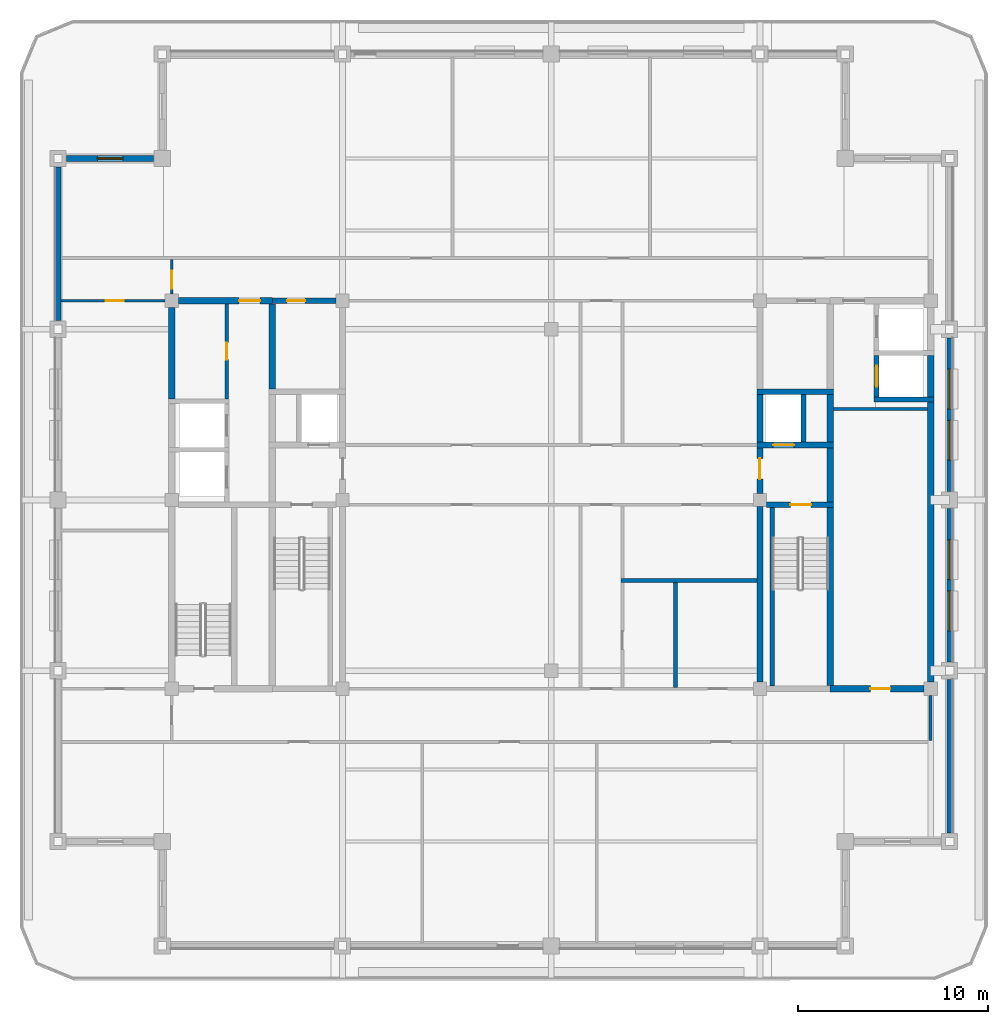
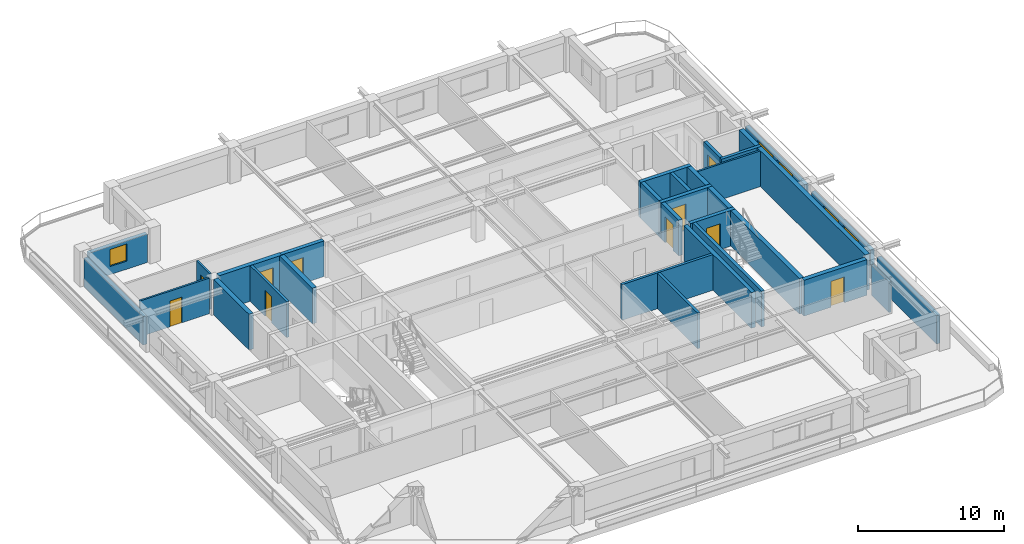
# One storey, part 4 of 11: 32 walls, 10 doors, 5 windows, 15 openings.
"""IFC4 building model written with IfcOpenShell, lengths in metres."""

from ifc_helpers import new_model, si_unit, direction, frame, frame_2d, origin, place, context, subcontext, project, spatial, rectangle, extrude, material, layer, layer_set, type_object, element, fill, save


model = new_model("IFC4")

# Units and contexts
model_context = context("Model", 3, precision=1e-05, world=origin(), true_north=direction((0.0, 1.0)))
body_context = subcontext(model_context, "Body", "Model", "MODEL_VIEW")
ifc_project = project(units=[si_unit("LENGTHUNIT", "METRE"), si_unit("AREAUNIT", "SQUARE_METRE"), si_unit("VOLUMEUNIT", "CUBIC_METRE"), si_unit("PLANEANGLEUNIT", "RADIAN"), si_unit("MASSUNIT", "GRAM", prefix="KILO")], contexts=[model_context])

# Site, building, storey
site_placement = place(None, origin())
site = spatial("IfcSite", under=ifc_project, at=site_placement, CompositionType="ELEMENT")
building_placement = place(site_placement, origin())
building = spatial("IfcBuilding", under=site, at=building_placement, Name="Zulmaris Gate Convention Tower", CompositionType="ELEMENT")
storey_placement = place(building_placement, frame((0.0, 0.0, 264.119873046875)))
storey = spatial("IfcBuildingStorey", under=building, at=storey_placement, Name="L70", CompositionType="ELEMENT", Elevation=264.119873046875)

# Walls
ifc_material_1 = material(Name="Concrete C50/60", Category="concrete")
ifc_layer_1 = layer(ifc_material_1, 0.25, Name="Concrete C50/60")
ifc_layer_set_1 = layer_set([ifc_layer_1], Name="Concrete C50/60")
wall_type_1 = type_object("IfcWallType", Name="CORE-250", PredefinedType="SOLIDWALL", material=ifc_layer_set_1)
wall_1_placement = place(storey_placement, frame((17.02490234375, 5.300048828125, 0.0), z_axis=(0.0, 0.0, 1.0), x_axis=(1.0, 0.0, 0.0)))
element("IfcWall", 1, at=wall_1_placement, inside=storey, type_object=wall_type_1, Name="WL-L70-011", PredefinedType="SOLIDWALL", context=body_context, shape_type="SweptSolid", body=[
    extrude(rectangle(XDim=3.150146484375, YDim=0.25, at=frame_2d((1.5751953125, 0.0))), origin(), (0.0, 0.0, 1.0), 2.980224609375),
])
wall_2_placement = place(storey_placement, frame((11.64990234375, -9.798095703125, 0.0), z_axis=(0.0, 0.0, 1.0), x_axis=(0.0, 1.0, 0.0)))
element("IfcWall", 2, at=wall_2_placement, inside=storey, type_object=wall_type_1, Name="WL-L70-051", PredefinedType="SOLIDWALL", context=body_context, shape_type="SweptSolid", body=[
    extrude(rectangle(XDim=9.39599609375, YDim=0.25, at=frame_2d((4.697998046875, 0.0))), origin(), (0.0, 0.0, 1.0), 2.980224609375),
])
wall_3_placement = place(storey_placement, frame((13.300048828125, 3.052001953125, 0.0), z_axis=(0.0, 0.0, 1.0), x_axis=(0.0, 1.0, 0.0)))
element("IfcWall", 3, at=wall_3_placement, inside=storey, type_object=wall_type_1, Name="WL-L70-052", PredefinedType="SOLIDWALL", context=body_context, shape_type="SweptSolid", body=[
    extrude(rectangle(XDim=2.49609375, YDim=0.25, at=frame_2d((1.248046875, 0.0))), origin(), (0.0, 0.0, 1.0), 2.980224609375),
])

# Wall, opening, door
wall_4_placement = place(storey_placement, frame((17.14990234375, 5.427001953125, 0.0), z_axis=(0.0, 0.0, 1.0), x_axis=(0.0, 1.0, 0.0)))
wall_4 = element("IfcWall", 4, at=wall_4_placement, inside=storey, type_object=wall_type_1, Name="WL-L70-057", PredefinedType="SOLIDWALL", context=body_context, shape_type="SweptSolid", body=[
    extrude(rectangle(XDim=2.196044921875, YDim=0.25, at=frame_2d((1.09814453125, 0.0))), origin(), (0.0, 0.0, 1.0), 2.980224609375),
])
opening_1_placement = place(wall_4_placement, frame((0.548095703125, 0.0, 0.0)))
opening_1 = element("IfcOpeningElement", 5, at=opening_1_placement, cuts=wall_4, Name="Opening D-06", PredefinedType="OPENING", context=body_context, shape_type="SweptSolid", body=[
    extrude(rectangle(XDim=1.10009765625, YDim=2.199951171875, at=frame_2d((0.550048828125, 1.10009765625))), frame((0.0, 0.135009765625, 0.0), z_axis=(0.0, -1.0, 0.0), x_axis=(1.0, 0.0, 0.0)), (0.0, 0.0, 1.0), 0.27001953125),
])
ifc_material_2 = material(Name="Brushed Stainless Steel", Category="steel")
door_type_1 = type_object("IfcDoorType", Name="LD-1100", OperationType="NOTDEFINED", PredefinedType="DOOR", material=ifc_material_2)
door_1_placement = place(opening_1_placement, origin())
door_1 = element("IfcDoor", 6, at=door_1_placement, inside=storey, type_object=door_type_1, Name="L70 Lift Landing Door HP-01 14", OperationType="SLIDING_TO_RIGHT", OverallHeight=2.199951171875, OverallWidth=1.10009765625, PredefinedType="DOOR", context=body_context, shape_type="SweptSolid", body=[
    extrude(rectangle(XDim=1.10009765625, YDim=2.199951171875, at=frame_2d((0.550048828125, 1.10009765625))), frame((0.0, 0.02490234375, 0.0), z_axis=(0.0, -1.0, 0.0), x_axis=(1.0, 0.0, 0.0)), (0.0, 0.0, 1.0), 0.050048828125),
])
fill(opening_1, door_1)

ifc_layer_2 = layer(ifc_material_1, 0.300048828125, Name="Concrete C50/60")
ifc_layer_set_2 = layer_set([ifc_layer_2], Name="Concrete C50/60")
wall_type_2 = type_object("IfcWallType", Name="CORE-300", PredefinedType="SHEAR", material=ifc_layer_set_2)
wall_5_placement = place(storey_placement, frame((11.35400390625, -0.25, 0.0), z_axis=(0.0, 0.0, 1.0), x_axis=(1.0, 0.0, 0.0)))
wall_5 = element("IfcWall", 7, at=wall_5_placement, inside=storey, type_object=wall_type_2, Name="WL-L70-006", PredefinedType="SHEAR", context=body_context, shape_type="SweptSolid", body=[
    extrude(rectangle(XDim=3.52099609375, YDim=0.300048828125, at=frame_2d((1.760498046875, 0.0))), origin(), (0.0, 0.0, 1.0), 2.980224609375),
])
opening_2_placement = place(wall_5_placement, frame((1.24609375, 0.0, 0.0)))
opening_2 = element("IfcOpeningElement", 8, at=opening_2_placement, cuts=wall_5, Name="Opening D-08", PredefinedType="OPENING", context=body_context, shape_type="SweptSolid", body=[
    extrude(rectangle(XDim=1.10009765625, YDim=2.14990234375, at=frame_2d((0.550048828125, 1.074951171875))), frame((0.0, 0.16015625, 0.0), z_axis=(0.0, -1.0, 0.0), x_axis=(1.0, 0.0, 0.0)), (0.0, 0.0, 1.0), 0.320068359375),
])
ifc_material_3 = material(Name="Fire-Rated Steel", Category="steel")
door_type_2 = type_object("IfcDoorType", Name="DR-1100-FD", OperationType="NOTDEFINED", PredefinedType="DOOR", material=ifc_material_3)
door_2_placement = place(opening_2_placement, origin())
door_2 = element("IfcDoor", 9, at=door_2_placement, inside=storey, type_object=door_type_2, Name="L70 Exit Stair ST-2 Door 04", OperationType="SINGLE_SWING_LEFT", OverallHeight=2.14990234375, OverallWidth=1.10009765625, PredefinedType="DOOR", context=body_context, shape_type="SweptSolid", body=[
    extrude(rectangle(XDim=1.10009765625, YDim=2.14990234375, at=frame_2d((0.550048828125, 1.074951171875))), frame((0.0, 0.02490234375, 0.0), z_axis=(0.0, -1.0, 0.0), x_axis=(1.0, 0.0, 0.0)), (0.0, 0.0, 1.0), 0.050048828125),
])
fill(opening_2, door_2)

wall_6_placement = place(storey_placement, frame((10.85009765625, 2.89990234375, 0.0), z_axis=(0.0, 0.0, 1.0), x_axis=(1.0, 0.0, 0.0)))
wall_6 = element("IfcWall", 10, at=wall_6_placement, inside=storey, type_object=wall_type_2, Name="WL-L70-009", PredefinedType="SHEAR", context=body_context, shape_type="SweptSolid", body=[
    extrude(rectangle(XDim=4.02490234375, YDim=0.300048828125, at=frame_2d((2.012451171875, 0.0))), origin(), (0.0, 0.0, 1.0), 2.980224609375),
])
opening_3_placement = place(wall_6_placement, frame((0.85009765625, 0.0, 0.0)))
opening_3 = element("IfcOpeningElement", 11, at=opening_3_placement, cuts=wall_6, Name="Opening D-06", PredefinedType="OPENING", context=body_context, shape_type="SweptSolid", body=[
    extrude(rectangle(XDim=1.10009765625, YDim=2.199951171875, at=frame_2d((0.550048828125, 1.10009765625))), frame((0.0, 0.16015625, 0.0), z_axis=(0.0, -1.0, 0.0), x_axis=(1.0, 0.0, 0.0)), (0.0, 0.0, 1.0), 0.320068359375),
])
door_3_placement = place(opening_3_placement, origin())
door_3 = element("IfcDoor", 12, at=door_3_placement, inside=storey, type_object=door_type_1, Name="L70 Lift Landing Door LF-02 06", OperationType="SLIDING_TO_RIGHT", OverallHeight=2.199951171875, OverallWidth=1.10009765625, PredefinedType="DOOR", context=body_context, shape_type="SweptSolid", body=[
    extrude(rectangle(XDim=1.10009765625, YDim=2.199951171875, at=frame_2d((0.550048828125, 1.10009765625))), frame((0.0, 0.02490234375, 0.0), z_axis=(0.0, -1.0, 0.0), x_axis=(1.0, 0.0, 0.0)), (0.0, 0.0, 1.0), 0.050048828125),
])
fill(opening_3, door_3)

# Wall
wall_7_placement = place(storey_placement, frame((10.85009765625, 5.699951171875, 0.0), z_axis=(0.0, 0.0, 1.0), x_axis=(1.0, 0.0, 0.0)))
element("IfcWall", 13, at=wall_7_placement, inside=storey, type_object=wall_type_2, Name="WL-L70-013", PredefinedType="SHEAR", context=body_context, shape_type="SweptSolid", body=[
    extrude(rectangle(XDim=4.02490234375, YDim=0.300048828125, at=frame_2d((2.012451171875, 0.0))), origin(), (0.0, 0.0, 1.0), 2.980224609375),
])

# Wall, opening, door
wall_8_placement = place(storey_placement, frame((-14.699951171875, 10.5, 0.0), z_axis=(0.0, 0.0, 1.0), x_axis=(1.0, 0.0, 0.0)))
wall_8 = element("IfcWall", 14, at=wall_8_placement, inside=storey, type_object=wall_type_2, Name="WL-L70-016", PredefinedType="SHEAR", context=body_context, shape_type="SweptSolid", body=[
    extrude(rectangle(XDim=3.345947265625, YDim=0.300048828125, at=frame_2d((1.6728515625, 0.0))), origin(), (0.0, 0.0, 1.0), 2.980224609375),
])
opening_4_placement = place(wall_8_placement, frame((0.77490234375, 0.0, 0.0)))
opening_4 = element("IfcOpeningElement", 15, at=opening_4_placement, cuts=wall_8, Name="Opening D-11", PredefinedType="OPENING", context=body_context, shape_type="SweptSolid", body=[
    extrude(rectangle(XDim=0.949951171875, YDim=2.14990234375, at=frame_2d((0.47509765625, 1.074951171875))), frame((0.0, 0.16015625, 0.0), z_axis=(0.0, -1.0, 0.0), x_axis=(1.0, 0.0, 0.0)), (0.0, 0.0, 1.0), 0.320068359375),
])
ifc_material_4 = material(Name="Fire-Rated Timber", Category="wood")
door_type_3 = type_object("IfcDoorType", Name="DR-950-FD", OperationType="NOTDEFINED", PredefinedType="DOOR", material=ifc_material_4)
door_4_placement = place(opening_4_placement, origin())
door_4 = element("IfcDoor", 16, at=door_4_placement, inside=storey, type_object=door_type_3, Name="L70 Core Pantry Door 07", OperationType="SINGLE_SWING_LEFT", OverallHeight=2.14990234375, OverallWidth=0.949951171875, PredefinedType="DOOR", context=body_context, shape_type="SweptSolid", body=[
    extrude(rectangle(XDim=0.949951171875, YDim=2.14990234375, at=frame_2d((0.47509765625, 1.074951171875))), frame((0.0, 0.02490234375, 0.0), z_axis=(0.0, -1.0, 0.0), x_axis=(1.0, 0.0, 0.0)), (0.0, 0.0, 1.0), 0.050048828125),
])
fill(opening_4, door_4)

# Wall
wall_9_placement = place(storey_placement, frame((11.0, -9.595947265625, 0.0), z_axis=(0.0, 0.0, 1.0), x_axis=(0.0, 1.0, 0.0)))
element("IfcWall", 17, at=wall_9_placement, inside=storey, type_object=wall_type_2, Name="WL-L70-047", PredefinedType="SHEAR", context=body_context, shape_type="SweptSolid", body=[
    extrude(rectangle(XDim=9.241943359375, YDim=0.300048828125, at=frame_2d((4.62109375, 0.0))), origin(), (0.0, 0.0, 1.0), 2.980224609375),
])

# Wall, opening, door
wall_10_placement = place(storey_placement, frame((11.0, 0.35400390625, 0.0), z_axis=(0.0, 0.0, 1.0), x_axis=(0.0, 1.0, 0.0)))
wall_10 = element("IfcWall", 18, at=wall_10_placement, inside=storey, type_object=wall_type_2, Name="WL-L70-048", PredefinedType="SHEAR", context=body_context, shape_type="SweptSolid", body=[
    extrude(rectangle(XDim=2.39404296875, YDim=0.300048828125, at=frame_2d((1.197021484375, 0.0))), origin(), (0.0, 0.0, 1.0), 2.980224609375),
])
opening_5_placement = place(wall_10_placement, frame((0.74609375, 0.0, 0.0)))
opening_5 = element("IfcOpeningElement", 19, at=opening_5_placement, cuts=wall_10, Name="Opening D-08", PredefinedType="OPENING", context=body_context, shape_type="SweptSolid", body=[
    extrude(rectangle(XDim=1.10009765625, YDim=2.14990234375, at=frame_2d((0.550048828125, 1.074951171875))), frame((0.0, 0.16015625, 0.0), z_axis=(0.0, -1.0, 0.0), x_axis=(1.0, 0.0, 0.0)), (0.0, 0.0, 1.0), 0.320068359375),
])
door_5_placement = place(opening_5_placement, origin())
door_5 = element("IfcDoor", 20, at=door_5_placement, inside=storey, type_object=door_type_2, Name="L70 East Firefighting Lobby Door 05", OperationType="SINGLE_SWING_RIGHT", OverallHeight=2.14990234375, OverallWidth=1.10009765625, PredefinedType="DOOR", context=body_context, shape_type="SweptSolid", body=[
    extrude(rectangle(XDim=1.10009765625, YDim=2.14990234375, at=frame_2d((0.550048828125, 1.074951171875))), frame((0.0, 0.02490234375, 0.0), z_axis=(0.0, -1.0, 0.0), x_axis=(1.0, 0.0, 0.0)), (0.0, 0.0, 1.0), 0.050048828125),
])
fill(opening_5, door_5)

# Wall
wall_11_placement = place(storey_placement, frame((11.0, 3.052001953125, 0.0), z_axis=(0.0, 0.0, 1.0), x_axis=(0.0, 1.0, 0.0)))
element("IfcWall", 21, at=wall_11_placement, inside=storey, type_object=wall_type_2, Name="WL-L70-049", PredefinedType="SHEAR", context=body_context, shape_type="SweptSolid", body=[
    extrude(rectangle(XDim=2.49609375, YDim=0.300048828125, at=frame_2d((1.248046875, 0.0))), origin(), (0.0, 0.0, 1.0), 2.980224609375),
])

# Wall, opening, door
ifc_material_5 = material(Name="Concrete C55/67", Category="concrete")
ifc_layer_3 = layer(ifc_material_5, 0.35009765625, Name="Concrete C55/67")
ifc_layer_set_3 = layer_set([ifc_layer_3], Name="Concrete C55/67")
wall_type_3 = type_object("IfcWallType", Name="CORE-350", PredefinedType="SHEAR", material=ifc_layer_set_3)
wall_12_placement = place(storey_placement, frame((14.699951171875, -9.949951171875, 0.0), z_axis=(0.0, 0.0, 1.0), x_axis=(1.0, 0.0, 0.0)))
wall_12 = element("IfcWall", 22, at=wall_12_placement, inside=storey, type_object=wall_type_3, Name="WL-L70-004", PredefinedType="SHEAR", context=body_context, shape_type="SweptSolid", body=[
    extrude(rectangle(XDim=4.946044921875, YDim=0.35009765625, at=frame_2d((2.47314453125, 0.0))), origin(), (0.0, 0.0, 1.0), 2.980224609375),
])
opening_6_placement = place(wall_12_placement, frame((2.125, 0.0, 0.0)))
opening_6 = element("IfcOpeningElement", 23, at=opening_6_placement, cuts=wall_12, Name="Opening D-09", PredefinedType="OPENING", context=body_context, shape_type="SweptSolid", body=[
    extrude(rectangle(XDim=1.050048828125, YDim=2.14990234375, at=frame_2d((0.52490234375, 1.074951171875))), frame((0.0, 0.18505859375, 0.0), z_axis=(0.0, -1.0, 0.0), x_axis=(1.0, 0.0, 0.0)), (0.0, 0.0, 1.0), 0.3701171875),
])
door_type_4 = type_object("IfcDoorType", Name="DR-1050-FD", OperationType="NOTDEFINED", PredefinedType="DOOR", material=ifc_material_3)
door_6_placement = place(opening_6_placement, origin())
door_6 = element("IfcDoor", 24, at=door_6_placement, inside=storey, type_object=door_type_4, Name="L70 Housekeeping Hall Door 17", OperationType="SINGLE_SWING_LEFT", OverallHeight=2.14990234375, OverallWidth=1.050048828125, PredefinedType="DOOR", context=body_context, shape_type="SweptSolid", body=[
    extrude(rectangle(XDim=1.050048828125, YDim=2.14990234375, at=frame_2d((0.52490234375, 1.074951171875))), frame((0.0, 0.02490234375, 0.0), z_axis=(0.0, -1.0, 0.0), x_axis=(1.0, 0.0, 0.0)), (0.0, 0.0, 1.0), 0.050048828125),
])
fill(opening_6, door_6)

wall_13_placement = place(storey_placement, frame((-19.64599609375, 10.5, 0.0), z_axis=(0.0, 0.0, 1.0), x_axis=(1.0, 0.0, 0.0)))
wall_13 = element("IfcWall", 25, at=wall_13_placement, inside=storey, type_object=wall_type_3, Name="WL-L70-015", PredefinedType="SHEAR", context=body_context, shape_type="SweptSolid", body=[
    extrude(rectangle(XDim=4.946044921875, YDim=0.35009765625, at=frame_2d((2.47314453125, 0.0))), origin(), (0.0, 0.0, 1.0), 2.980224609375),
])
opening_7_placement = place(wall_13_placement, frame((3.196044921875, 0.0, 0.0)))
opening_7 = element("IfcOpeningElement", 26, at=opening_7_placement, cuts=wall_13, Name="Opening D-08", PredefinedType="OPENING", context=body_context, shape_type="SweptSolid", body=[
    extrude(rectangle(XDim=1.10009765625, YDim=2.14990234375, at=frame_2d((0.550048828125, 1.074951171875))), frame((0.0, 0.18505859375, 0.0), z_axis=(0.0, -1.0, 0.0), x_axis=(1.0, 0.0, 0.0)), (0.0, 0.0, 1.0), 0.3701171875),
])
door_7_placement = place(opening_7_placement, origin())
door_7 = element("IfcDoor", 27, at=door_7_placement, inside=storey, type_object=door_type_2, Name="L70 High-Rise West Lift Lobby Door 12", OperationType="SINGLE_SWING_RIGHT", OverallHeight=2.14990234375, OverallWidth=1.10009765625, PredefinedType="DOOR", context=body_context, shape_type="SweptSolid", body=[
    extrude(rectangle(XDim=1.10009765625, YDim=2.14990234375, at=frame_2d((0.550048828125, 1.074951171875))), frame((0.0, 0.02490234375, 0.0), z_axis=(0.0, -1.0, 0.0), x_axis=(1.0, 0.0, 0.0)), (0.0, 0.0, 1.0), 0.050048828125),
])
fill(opening_7, door_7)

# Walls
wall_14_placement = place(storey_placement, frame((-20.0, 5.326904296875, 0.0), z_axis=(0.0, 0.0, 1.0), x_axis=(0.0, 1.0, 0.0)))
element("IfcWall", 28, at=wall_14_placement, inside=storey, type_object=wall_type_3, Name="WL-L70-033", PredefinedType="SHEAR", context=body_context, shape_type="SweptSolid", body=[
    extrude(rectangle(XDim=4.819091796875, YDim=0.35009765625, at=frame_2d((2.40966796875, 0.0))), origin(), (0.0, 0.0, 1.0), 2.980224609375),
])
wall_15_placement = place(storey_placement, frame((-14.699951171875, 5.85205078125, 0.0), z_axis=(0.0, 0.0, 1.0), x_axis=(0.0, 1.0, 0.0)))
element("IfcWall", 29, at=wall_15_placement, inside=storey, type_object=wall_type_3, Name="WL-L70-040", PredefinedType="SHEAR", context=body_context, shape_type="SweptSolid", body=[
    extrude(rectangle(XDim=4.470947265625, YDim=0.35009765625, at=frame_2d((2.2353515625, 0.0))), origin(), (0.0, 0.0, 1.0), 2.980224609375),
])
wall_16_placement = place(storey_placement, frame((14.699951171875, -9.77294921875, 0.0), z_axis=(0.0, 0.0, 1.0), x_axis=(0.0, 1.0, 0.0)))
element("IfcWall", 30, at=wall_16_placement, inside=storey, type_object=wall_type_3, Name="WL-L70-053", PredefinedType="SHEAR", context=body_context, shape_type="SweptSolid", body=[
    extrude(rectangle(XDim=9.370849609375, YDim=0.35009765625, at=frame_2d((4.685546875, 0.0))), origin(), (0.0, 0.0, 1.0), 2.980224609375),
])
wall_17_placement = place(storey_placement, frame((14.699951171875, -0.097900390625, 0.0), z_axis=(0.0, 0.0, 1.0), x_axis=(0.0, 1.0, 0.0)))
element("IfcWall", 31, at=wall_17_placement, inside=storey, type_object=wall_type_3, Name="WL-L70-054", PredefinedType="SHEAR", context=body_context, shape_type="SweptSolid", body=[
    extrude(rectangle(XDim=2.845947265625, YDim=0.35009765625, at=frame_2d((1.4228515625, 0.0))), origin(), (0.0, 0.0, 1.0), 2.980224609375),
])
wall_18_placement = place(storey_placement, frame((14.699951171875, 3.052001953125, 0.0), z_axis=(0.0, 0.0, 1.0), x_axis=(0.0, 1.0, 0.0)))
element("IfcWall", 32, at=wall_18_placement, inside=storey, type_object=wall_type_3, Name="WL-L70-055", PredefinedType="SHEAR", context=body_context, shape_type="SweptSolid", body=[
    extrude(rectangle(XDim=2.49609375, YDim=0.35009765625, at=frame_2d((1.248046875, 0.0))), origin(), (0.0, 0.0, 1.0), 2.980224609375),
])
wall_19_placement = place(storey_placement, frame((20.0, -9.595947265625, 0.0), z_axis=(0.0, 0.0, 1.0), x_axis=(0.0, 1.0, 0.0)))
element("IfcWall", 33, at=wall_19_placement, inside=storey, type_object=wall_type_3, Name="WL-L70-059", PredefinedType="SHEAR", context=body_context, shape_type="SweptSolid", body=[
    extrude(rectangle(XDim=14.76904296875, YDim=0.35009765625, at=frame_2d((7.384521484375, 0.0))), origin(), (0.0, 0.0, 1.0), 2.980224609375),
])
wall_20_placement = place(storey_placement, frame((20.0, 5.427001953125, 0.0), z_axis=(0.0, 0.0, 1.0), x_axis=(0.0, 1.0, 0.0)))
element("IfcWall", 34, at=wall_20_placement, inside=storey, type_object=wall_type_3, Name="WL-L70-060", PredefinedType="SHEAR", context=body_context, shape_type="SweptSolid", body=[
    extrude(rectangle(XDim=2.196044921875, YDim=0.35009765625, at=frame_2d((1.09814453125, 0.0))), origin(), (0.0, 0.0, 1.0), 2.980224609375),
])
ifc_material_6 = material(Name="Gypsum Metal Stud Partition")
ifc_layer_4 = layer(ifc_material_6, 0.14990234375, Name="Gypsum Metal Stud Partition")
ifc_layer_set_4 = layer_set([ifc_layer_4], Name="Gypsum Metal Stud Partition")
wall_type_4 = type_object("IfcWallType", Name="PART-150", PredefinedType="PARTITIONING", material=ifc_layer_set_4)
wall_21_placement = place(storey_placement, frame((14.8779296875, 4.800048828125, 0.0), z_axis=(0.0, 0.0, 1.0), x_axis=(1.0, 0.0, 0.0)))
element("IfcWall", 35, at=wall_21_placement, inside=storey, type_object=wall_type_4, Name="WL-L70-026", PredefinedType="PARTITIONING", context=body_context, shape_type="SweptSolid", body=[
    extrude(rectangle(XDim=4.944091796875, YDim=0.14990234375, at=frame_2d((2.47216796875, 0.0))), origin(), (0.0, 0.0, 1.0), 2.980224609375),
])

# Wall, opening, door
wall_22_placement = place(storey_placement, frame((-25.8349609375, 10.5, 0.0), z_axis=(0.0, 0.0, 1.0), x_axis=(1.0, 0.0, 0.0)))
wall_22 = element("IfcWall", 36, at=wall_22_placement, inside=storey, type_object=wall_type_4, Name="WL-L70-027", PredefinedType="PARTITIONING", context=body_context, shape_type="SweptSolid", body=[
    extrude(rectangle(XDim=5.47900390625, YDim=0.14990234375, at=frame_2d((2.739501953125, 0.0))), origin(), (0.0, 0.0, 1.0), 2.980224609375),
])
opening_8_placement = place(wall_22_placement, frame((2.360107421875, 0.0, 0.0)))
opening_8 = element("IfcOpeningElement", 37, at=opening_8_placement, cuts=wall_22, Name="Opening D-11", PredefinedType="OPENING", context=body_context, shape_type="SweptSolid", body=[
    extrude(rectangle(XDim=0.949951171875, YDim=2.14990234375, at=frame_2d((0.47509765625, 1.074951171875))), frame((0.0, 0.0849609375, 0.0), z_axis=(0.0, -1.0, 0.0), x_axis=(1.0, 0.0, 0.0)), (0.0, 0.0, 1.0), 0.169921875),
])
door_8_placement = place(opening_8_placement, origin())
door_8 = element("IfcDoor", 38, at=door_8_placement, inside=storey, type_object=door_type_3, Name="L70 NW Partner Door 36", OperationType="SINGLE_SWING_RIGHT", OverallHeight=2.14990234375, OverallWidth=0.949951171875, PredefinedType="DOOR", context=body_context, shape_type="SweptSolid", body=[
    extrude(rectangle(XDim=0.949951171875, YDim=2.14990234375, at=frame_2d((0.47509765625, 1.074951171875))), frame((0.0, 0.02490234375, 0.0), z_axis=(0.0, -1.0, 0.0), x_axis=(1.0, 0.0, 0.0)), (0.0, 0.0, 1.0), 0.050048828125),
])
fill(opening_8, door_8)

wall_23_placement = place(storey_placement, frame((-20.0, 10.85595703125, 0.0), z_axis=(0.0, 0.0, 1.0), x_axis=(0.0, 1.0, 0.0)))
wall_23 = element("IfcWall", 39, at=wall_23_placement, inside=storey, type_object=wall_type_4, Name="WL-L70-063", PredefinedType="PARTITIONING", context=body_context, shape_type="SweptSolid", body=[
    extrude(rectangle(XDim=1.816162109375, YDim=0.14990234375, at=frame_2d((0.908203125, 0.0))), origin(), (0.0, 0.0, 1.0), 2.980224609375),
])
opening_9_placement = place(wall_23_placement, frame((0.2890625, 0.0, 0.0)))
opening_9 = element("IfcOpeningElement", 40, at=opening_9_placement, cuts=wall_23, Name="Opening D-11", PredefinedType="OPENING", context=body_context, shape_type="SweptSolid", body=[
    extrude(rectangle(XDim=0.949951171875, YDim=2.14990234375, at=frame_2d((0.47509765625, 1.074951171875))), frame((0.0, 0.0849609375, 0.0), z_axis=(0.0, -1.0, 0.0), x_axis=(1.0, 0.0, 0.0)), (0.0, 0.0, 1.0), 0.169921875),
])
door_9_placement = place(opening_9_placement, origin())
door_9 = element("IfcDoor", 41, at=door_9_placement, inside=storey, type_object=door_type_3, Name="L70 NW Spur Door 34", OperationType="SINGLE_SWING_RIGHT", OverallHeight=2.14990234375, OverallWidth=0.949951171875, PredefinedType="DOOR", context=body_context, shape_type="SweptSolid", body=[
    extrude(rectangle(XDim=0.949951171875, YDim=2.14990234375, at=frame_2d((0.47509765625, 1.074951171875))), frame((0.0, 0.02490234375, 0.0), z_axis=(0.0, -1.0, 0.0), x_axis=(1.0, 0.0, 0.0)), (0.0, 0.0, 1.0), 0.050048828125),
])
fill(opening_9, door_9)

# Walls
wall_24_placement = place(storey_placement, frame((20.0, -12.672119140625, 0.0), z_axis=(0.0, 0.0, 1.0), x_axis=(0.0, 1.0, 0.0)))
element("IfcWall", 42, at=wall_24_placement, inside=storey, type_object=wall_type_4, Name="WL-L70-075", PredefinedType="PARTITIONING", context=body_context, shape_type="SweptSolid", body=[
    extrude(rectangle(XDim=2.3662109375, YDim=0.14990234375, at=frame_2d((1.18310546875, 0.0))), origin(), (0.0, 0.0, 1.0), 2.5703125),
])
ifc_material_7 = material(Name="Autoclaved Aerated Concrete Block and Plasterboard", Category="concrete")
ifc_layer_5 = layer(ifc_material_7, 0.199951171875, Name="Autoclaved Aerated Concrete Block and Plasterboard")
ifc_layer_set_5 = layer_set([ifc_layer_5], Name="Autoclaved Aerated Concrete Block and Plasterboard")
wall_type_5 = type_object("IfcWallType", Name="PART-200", PredefinedType="PARTITIONING", material=ifc_layer_set_5)
wall_25_placement = place(storey_placement, frame((3.675048828125, -4.25, 0.0), z_axis=(0.0, 0.0, 1.0), x_axis=(1.0, 0.0, 0.0)))
element("IfcWall", 43, at=wall_25_placement, inside=storey, type_object=wall_type_5, Name="WL-L70-022", PredefinedType="PARTITIONING", context=body_context, shape_type="SweptSolid", body=[
    extrude(rectangle(XDim=7.171875, YDim=0.199951171875, at=frame_2d((3.5859375, 0.0))), origin(), (0.0, 0.0, 1.0), 2.980224609375),
])

# Wall, opening, door
wall_26_placement = place(storey_placement, frame((-17.10009765625, 5.327880859375, 0.0), z_axis=(0.0, 0.0, 1.0), x_axis=(0.0, 1.0, 0.0)))
wall_26 = element("IfcWall", 44, at=wall_26_placement, inside=storey, type_object=wall_type_5, Name="WL-L70-064", PredefinedType="PARTITIONING", context=body_context, shape_type="SweptSolid", body=[
    extrude(rectangle(XDim=4.994140625, YDim=0.199951171875, at=frame_2d((2.4970703125, 0.0))), origin(), (0.0, 0.0, 1.0), 2.980224609375),
])
opening_10_placement = place(wall_26_placement, frame((2.072021484375, 0.0, 0.0)))
opening_10 = element("IfcOpeningElement", 45, at=opening_10_placement, cuts=wall_26, Name="Opening D-12", PredefinedType="OPENING", context=body_context, shape_type="SweptSolid", body=[
    extrude(rectangle(XDim=0.89990234375, YDim=2.14990234375, at=frame_2d((0.449951171875, 1.074951171875))), frame((0.0, 0.10986328125, 0.0), z_axis=(0.0, -1.0, 0.0), x_axis=(1.0, 0.0, 0.0)), (0.0, 0.0, 1.0), 0.219970703125),
])
door_type_5 = type_object("IfcDoorType", Name="DR-900-FD", OperationType="NOTDEFINED", PredefinedType="DOOR", material=ifc_material_4)
door_10_placement = place(opening_10_placement, origin())
door_10 = element("IfcDoor", 46, at=door_10_placement, inside=storey, type_object=door_type_5, Name="L70 Housekeeping Door 13", OperationType="SINGLE_SWING_LEFT", OverallHeight=2.14990234375, OverallWidth=0.89990234375, PredefinedType="DOOR", context=body_context, shape_type="SweptSolid", body=[
    extrude(rectangle(XDim=0.89990234375, YDim=2.14990234375, at=frame_2d((0.449951171875, 1.074951171875))), frame((0.0, 0.02490234375, 0.0), z_axis=(0.0, -1.0, 0.0), x_axis=(1.0, 0.0, 0.0)), (0.0, 0.0, 1.0), 0.050048828125),
])
fill(opening_10, door_10)

# Wall
wall_27_placement = place(storey_placement, frame((6.550048828125, -9.8720703125, 0.0), z_axis=(0.0, 0.0, 1.0), x_axis=(0.0, 1.0, 0.0)))
element("IfcWall", 47, at=wall_27_placement, inside=storey, type_object=wall_type_5, Name="WL-L70-074", PredefinedType="PARTITIONING", context=body_context, shape_type="SweptSolid", body=[
    extrude(rectangle(XDim=5.51904296875, YDim=0.199951171875, at=frame_2d((2.759521484375, 0.0))), origin(), (0.0, 0.0, 1.0), 2.980224609375),
])

# Wall, opening, window
ifc_material_8 = material(Name="Precast concrete C40/50", Category="concrete")
ifc_layer_6 = layer(ifc_material_8, 0.300048828125, Name="Precast concrete C40/50")
ifc_layer_set_6 = layer_set([ifc_layer_6], Name="Precast concrete C40/50")
wall_type_6 = type_object("IfcWallType", Name="PRECAST-PIER-300", PredefinedType="STANDARD", material=ifc_layer_set_6)
wall_28_placement = place(storey_placement, frame((-20.955078125, 18.0, 0.0), z_axis=(0.0, 0.0, 1.0), x_axis=(-1.0, 0.0, 0.0)))
wall_28 = element("IfcWall", 48, at=wall_28_placement, inside=storey, type_object=wall_type_6, Name="EW-L70-NOTCH-NW2_0", PredefinedType="STANDARD", context=body_context, shape_type="SweptSolid", body=[
    extrude(rectangle(XDim=4.58984375, YDim=0.300048828125, at=frame_2d((2.294921875, 0.0))), origin(), (0.0, 0.0, 1.0), 2.372314453125),
])
opening_11_placement = place(wall_28_placement, frame((1.6201171875, 0.0, 0.679931640625)))
opening_11 = element("IfcOpeningElement", 49, at=opening_11_placement, cuts=wall_28, Name="Opening W-10", PredefinedType="OPENING", context=body_context, shape_type="SweptSolid", body=[
    extrude(rectangle(XDim=1.35009765625, YDim=1.419921875, at=frame_2d((0.675048828125, 0.7099609375))), frame((0.0, 0.16015625, 0.0), z_axis=(0.0, -1.0, 0.0), x_axis=(1.0, 0.0, 0.0)), (0.0, 0.0, 1.0), 0.320068359375),
])
ifc_material_9 = material(Name="Low-E Laminated Double Glazing in Aluminium Frame", Category="aluminium")
window_type_1 = type_object("IfcWindowType", Name="WIN-1350x2000", PartitioningType="SINGLE_PANEL", PredefinedType="WINDOW", material=ifc_material_9)
window_1_placement = place(opening_11_placement, origin())
window_1 = element("IfcWindow", 50, at=window_1_placement, inside=storey, type_object=window_type_1, Name="WN-EW-L70-NOTCH-NW2_0", OverallHeight=1.419921875, OverallWidth=1.35009765625, PartitioningType="SINGLE_PANEL", PredefinedType="WINDOW", context=body_context, shape_type="SweptSolid", body=[
    extrude(rectangle(XDim=1.35009765625, YDim=1.419921875, at=frame_2d((0.675048828125, 0.7099609375))), frame((0.0, 0.030029296875, 0.0), z_axis=(0.0, -1.0, 0.0), x_axis=(1.0, 0.0, 0.0)), (0.0, 0.0, 1.0), 0.06005859375),
])
fill(opening_11, window_1)

# Wall
wall_29_placement = place(storey_placement, frame((21.0, -17.544921875, 0.0), z_axis=(0.0, 0.0, 1.0), x_axis=(0.0, 1.0, 0.0)))
element("IfcWall", 51, at=wall_29_placement, inside=storey, type_object=wall_type_6, Name="EW-L70-E-0_0", PredefinedType="STANDARD", context=body_context, shape_type="SweptSolid", body=[
    extrude(rectangle(XDim=8.08984375, YDim=0.300048828125, at=frame_2d((4.044921875, 0.0))), origin(), (0.0, 0.0, 1.0), 2.372314453125),
])

# Wall, openings, windows
wall_30_placement = place(storey_placement, frame((21.0, -8.544921875, 0.0), z_axis=(0.0, 0.0, 1.0), x_axis=(0.0, 1.0, 0.0)))
wall_30 = element("IfcWall", 52, at=wall_30_placement, inside=storey, type_object=wall_type_6, Name="EW-L70-E-1_0", PredefinedType="STANDARD", context=body_context, shape_type="SweptSolid", body=[
    extrude(rectangle(XDim=8.08984375, YDim=0.300048828125, at=frame_2d((4.044921875, 0.0))), origin(), (0.0, 0.0, 1.0), 2.372314453125),
])
opening_12_placement = place(wall_30_placement, frame((1.64697265625, 0.0, 0.699951171875)))
opening_12 = element("IfcOpeningElement", 53, at=opening_12_placement, cuts=wall_30, Name="Opening W-05", PredefinedType="OPENING", context=body_context, shape_type="SweptSolid", body=[
    extrude(rectangle(XDim=2.10009765625, YDim=1.5, at=frame_2d((1.050048828125, 0.75))), frame((0.0, 0.16015625, 0.0), z_axis=(0.0, -1.0, 0.0), x_axis=(1.0, 0.0, 0.0)), (0.0, 0.0, 1.0), 0.320068359375),
])
opening_13_placement = place(wall_30_placement, frame((4.343017578125, 0.0, 0.699951171875)))
opening_13 = element("IfcOpeningElement", 54, at=opening_13_placement, cuts=wall_30, Name="Opening W-05", PredefinedType="OPENING", context=body_context, shape_type="SweptSolid", body=[
    extrude(rectangle(XDim=2.10009765625, YDim=1.5, at=frame_2d((1.050048828125, 0.75))), frame((0.0, 0.16015625, 0.0), z_axis=(0.0, -1.0, 0.0), x_axis=(1.0, 0.0, 0.0)), (0.0, 0.0, 1.0), 0.320068359375),
])
window_type_2 = type_object("IfcWindowType", Name="WIN-2100x2400", PartitioningType="SINGLE_PANEL", PredefinedType="WINDOW", material=ifc_material_9)
window_2_placement = place(opening_12_placement, origin())
window_2 = element("IfcWindow", 55, at=window_2_placement, inside=storey, type_object=window_type_2, Name="WN-EW-L70-E-1_0-1", OverallHeight=1.5, OverallWidth=2.10009765625, PartitioningType="SINGLE_PANEL", PredefinedType="WINDOW", context=body_context, shape_type="SweptSolid", body=[
    extrude(rectangle(XDim=2.10009765625, YDim=1.5, at=frame_2d((1.050048828125, 0.75))), frame((0.0, 0.030029296875, 0.0), z_axis=(0.0, -1.0, 0.0), x_axis=(1.0, 0.0, 0.0)), (0.0, 0.0, 1.0), 0.06005859375),
])
fill(opening_12, window_2)
window_3_placement = place(opening_13_placement, origin())
window_3 = element("IfcWindow", 56, at=window_3_placement, inside=storey, type_object=window_type_2, Name="WN-EW-L70-E-1_0-2", OverallHeight=1.5, OverallWidth=2.10009765625, PartitioningType="SINGLE_PANEL", PredefinedType="WINDOW", context=body_context, shape_type="SweptSolid", body=[
    extrude(rectangle(XDim=2.10009765625, YDim=1.5, at=frame_2d((1.050048828125, 0.75))), frame((0.0, 0.030029296875, 0.0), z_axis=(0.0, -1.0, 0.0), x_axis=(1.0, 0.0, 0.0)), (0.0, 0.0, 1.0), 0.06005859375),
])
fill(opening_13, window_3)

wall_31_placement = place(storey_placement, frame((21.0, 0.455078125, 0.0), z_axis=(0.0, 0.0, 1.0), x_axis=(0.0, 1.0, 0.0)))
wall_31 = element("IfcWall", 57, at=wall_31_placement, inside=storey, type_object=wall_type_6, Name="EW-L70-E-2_0", PredefinedType="STANDARD", context=body_context, shape_type="SweptSolid", body=[
    extrude(rectangle(XDim=8.08984375, YDim=0.300048828125, at=frame_2d((4.044921875, 0.0))), origin(), (0.0, 0.0, 1.0), 2.372314453125),
])
opening_14_placement = place(wall_31_placement, frame((1.64697265625, 0.0, 0.699951171875)))
opening_14 = element("IfcOpeningElement", 58, at=opening_14_placement, cuts=wall_31, Name="Opening W-05", PredefinedType="OPENING", context=body_context, shape_type="SweptSolid", body=[
    extrude(rectangle(XDim=2.10009765625, YDim=1.5, at=frame_2d((1.050048828125, 0.75))), frame((0.0, 0.16015625, 0.0), z_axis=(0.0, -1.0, 0.0), x_axis=(1.0, 0.0, 0.0)), (0.0, 0.0, 1.0), 0.320068359375),
])
opening_15_placement = place(wall_31_placement, frame((4.343017578125, 0.0, 0.699951171875)))
opening_15 = element("IfcOpeningElement", 59, at=opening_15_placement, cuts=wall_31, Name="Opening W-05", PredefinedType="OPENING", context=body_context, shape_type="SweptSolid", body=[
    extrude(rectangle(XDim=2.10009765625, YDim=1.5, at=frame_2d((1.050048828125, 0.75))), frame((0.0, 0.16015625, 0.0), z_axis=(0.0, -1.0, 0.0), x_axis=(1.0, 0.0, 0.0)), (0.0, 0.0, 1.0), 0.320068359375),
])
window_4_placement = place(opening_14_placement, origin())
window_4 = element("IfcWindow", 60, at=window_4_placement, inside=storey, type_object=window_type_2, Name="WN-EW-L70-E-2_0-1", OverallHeight=1.5, OverallWidth=2.10009765625, PartitioningType="SINGLE_PANEL", PredefinedType="WINDOW", context=body_context, shape_type="SweptSolid", body=[
    extrude(rectangle(XDim=2.10009765625, YDim=1.5, at=frame_2d((1.050048828125, 0.75))), frame((0.0, 0.030029296875, 0.0), z_axis=(0.0, -1.0, 0.0), x_axis=(1.0, 0.0, 0.0)), (0.0, 0.0, 1.0), 0.06005859375),
])
fill(opening_14, window_4)
window_5_placement = place(opening_15_placement, origin())
window_5 = element("IfcWindow", 61, at=window_5_placement, inside=storey, type_object=window_type_2, Name="WN-EW-L70-E-2_0-2", OverallHeight=1.5, OverallWidth=2.10009765625, PartitioningType="SINGLE_PANEL", PredefinedType="WINDOW", context=body_context, shape_type="SweptSolid", body=[
    extrude(rectangle(XDim=2.10009765625, YDim=1.5, at=frame_2d((1.050048828125, 0.75))), frame((0.0, 0.030029296875, 0.0), z_axis=(0.0, -1.0, 0.0), x_axis=(1.0, 0.0, 0.0)), (0.0, 0.0, 1.0), 0.06005859375),
])
fill(opening_15, window_5)

# Wall
wall_32_placement = place(storey_placement, frame((-26.0, 17.544921875, 0.0), z_axis=(0.0, 0.0, 1.0), x_axis=(0.0, -1.0, 0.0)))
element("IfcWall", 62, at=wall_32_placement, inside=storey, type_object=wall_type_6, Name="EW-L70-W-3_0", PredefinedType="STANDARD", context=body_context, shape_type="SweptSolid", body=[
    extrude(rectangle(XDim=8.08984375, YDim=0.300048828125, at=frame_2d((4.044921875, 0.0))), origin(), (0.0, 0.0, 1.0), 2.372314453125),
])

save(model, "model.ifc")
